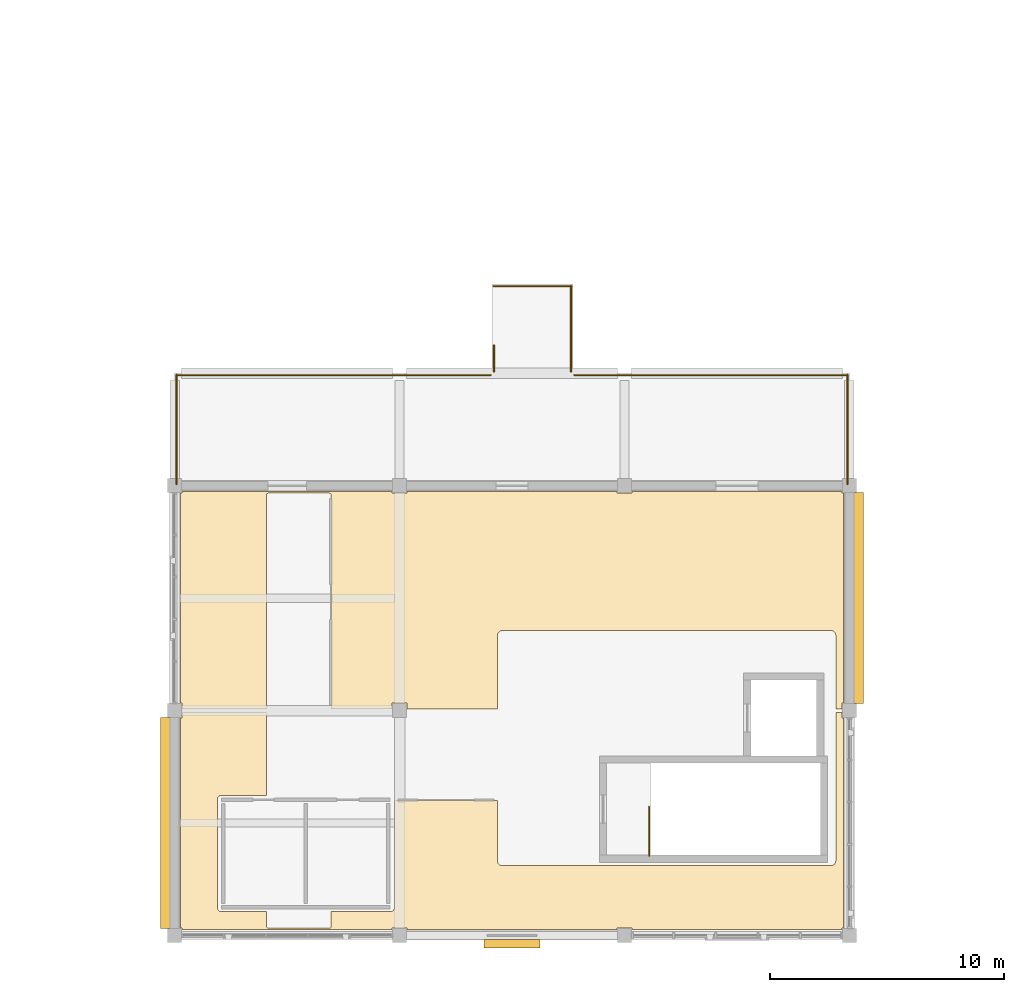
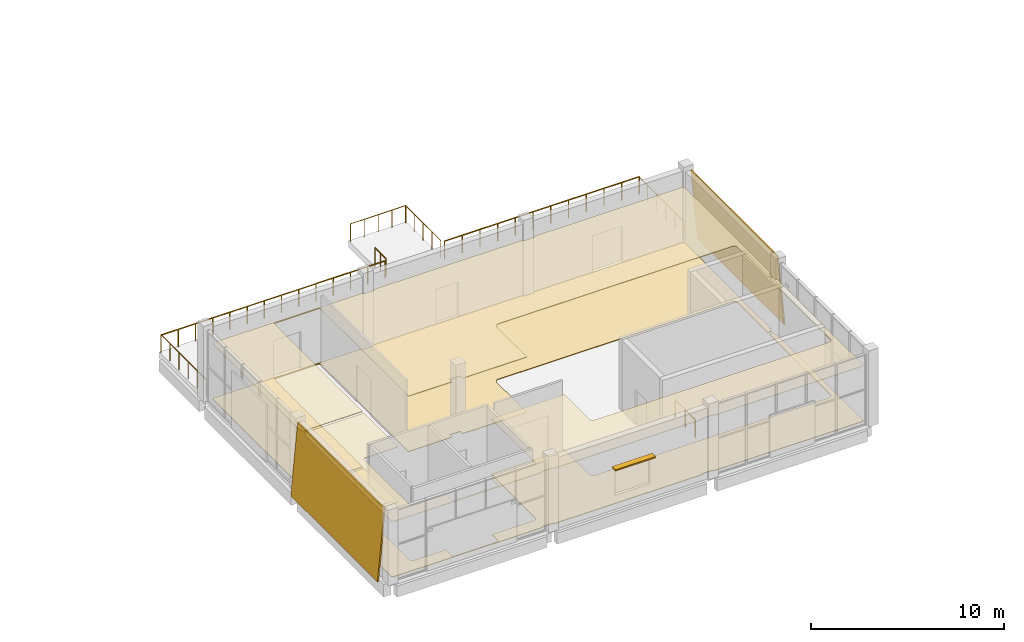
# One storey, part 32 of 37: 8 railings, 6 coverings, 1 shading device.
"""IFC4 building model written with IfcOpenShell, lengths in metres."""

from ifc_helpers import new_model, si_unit, direction, frame, origin, origin_2d, place, context, subcontext, project, spatial, polyline, rectangle, circle, outline, extrude, material, layer, layer_set, type_object, element, save


model = new_model("IFC4")

# Units and contexts
model_context = context("Model", 3, precision=1e-05, world=origin(), true_north=direction((0.0, 1.0)))
body_context = subcontext(model_context, "Body", "Model", "MODEL_VIEW")
ifc_project = project(units=[si_unit("LENGTHUNIT", "METRE"), si_unit("AREAUNIT", "SQUARE_METRE"), si_unit("VOLUMEUNIT", "CUBIC_METRE"), si_unit("PLANEANGLEUNIT", "RADIAN"), si_unit("MASSUNIT", "GRAM", prefix="KILO")], contexts=[model_context])

# Site, building, storey
site_placement = place(None, origin())
site = spatial("IfcSite", under=ifc_project, at=site_placement, CompositionType="ELEMENT")
building_placement = place(site_placement, origin())
building = spatial("IfcBuilding", under=site, at=building_placement, Name="Shalvenor Court Art Gallery", CompositionType="ELEMENT")
storey_placement = place(building_placement, frame((0.0, 0.0, 22.199951171875)))
storey = spatial("IfcBuildingStorey", under=building, at=storey_placement, Name="L04", CompositionType="ELEMENT", Elevation=22.199951171875)

# Coverings
ifc_material_1 = material(Name="Pale Mediterranean limestone cladding", Category="masonry")
ifc_layer_1 = layer(ifc_material_1, 0.080078125, Name="Pale Mediterranean limestone cladding")
ifc_layer_set_1 = layer_set([ifc_layer_1], Name="Pale Mediterranean limestone cladding")
covering_type_1 = type_object("IfcCoveringType", Name="CLD-01", PredefinedType="CLADDING", material=ifc_layer_set_1)
for number, where, z_axis, x_axis, name in (
    (1, (125.3994140625, 9.89990234375, 0.0), (0.0, 0.0, 1.0), (0.0, 1.0, 0.0), "L04 V3 Tapered Limestone Cladding 60"),
    (2, (95.400390625, 9.300048828125, 0.0), (0.0, 0.0, 1.0), (0.0, -1.0, 0.0), "L04 V3 Tapered Limestone Cladding 61"),
):
    element("IfcCovering", number, at=place(storey_placement, frame(where, z_axis=z_axis, x_axis=x_axis)), inside=storey, type_object=covering_type_1, Name=name, PredefinedType="CLADDING", context=body_context, shape_type="SweptSolid", body=[
        extrude(outline(polyline([(0.0, 0.0), (9.0, 0.0), (9.0, 4.5185546875), (0.0, 4.5185546875), (0.0, 0.0)])), frame((0.0, 0.0, 0.0), z_axis=(0.0, -0.995884398616, 0.090632580198), x_axis=(1.0, 0.0, 0.0)), (0.0, 0.090632580198, -0.995884398616), 0.080322265625),
    ])
ifc_material_2 = material(Name="Perforated acoustic gypsum gallery ceiling", Category="other")
ifc_layer_2 = layer(ifc_material_2, 0.044921875, Name="Perforated acoustic gypsum gallery ceiling")
ifc_layer_set_2 = layer_set([ifc_layer_2], Name="Perforated acoustic gypsum gallery ceiling")
covering_type_2 = type_object("IfcCoveringType", Name="CLG-01", PredefinedType="CEILING", material=ifc_layer_set_2)
covering_1_placement = place(storey_placement, frame((0.0, 0.0, 3.5)))
element("IfcCovering", 3, at=covering_1_placement, inside=storey, type_object=covering_type_2, Name="L04 Sculpture Exhibition Hall Acoustic Ceiling", PredefinedType="CEILING", context=body_context, shape_type="SweptSolid", body=[
    extrude(outline(polyline([(115.52001953125, 0.25), (115.52001953125, 0.320068359375), (114.8798828125, 0.320068359375), (114.8798828125, 0.25), (105.919921875, 0.25), (105.919921875, 0.320068359375), (105.280029296875, 0.320068359375), (105.280029296875, 0.25), (96.320068359375, 0.25), (96.320068359375, 0.320068359375), (96.25, 0.320068359375), (96.25, 9.280029296875), (96.320068359375, 9.280029296875), (96.320068359375, 9.52001953125), (99.919921875, 9.52001953125), (99.919921875, 5.97998046875), (98.0, 5.97998046875), (97.982421875, 5.97900390625), (97.96484375, 5.9765625), (97.94775390625, 5.97216796875), (97.93115234375, 5.96630859375), (97.9150390625, 5.958740234375), (97.89990234375, 5.94970703125), (97.8857421875, 5.939208984375), (97.872802734375, 5.92724609375), (97.86083984375, 5.914306640625), (97.850341796875, 5.89990234375), (97.84130859375, 5.885009765625), (97.833740234375, 5.868896484375), (97.827880859375, 5.852294921875), (97.823486328125, 5.835205078125), (97.82080078125, 5.817626953125), (97.820068359375, 5.800048828125), (97.820068359375, 1.199951171875), (97.82080078125, 1.182373046875), (97.823486328125, 1.164794921875), (97.827880859375, 1.147705078125), (97.833740234375, 1.131103515625), (97.84130859375, 1.114990234375), (97.850341796875, 1.10009765625), (97.86083984375, 1.085693359375), (97.872802734375, 1.07275390625), (97.8857421875, 1.060791015625), (97.89990234375, 1.05029296875), (97.9150390625, 1.041259765625), (97.93115234375, 1.03369140625), (97.94775390625, 1.02783203125), (97.96484375, 1.0234375), (97.982421875, 1.02099609375), (98.0, 1.02001953125), (99.919921875, 1.02001953125), (99.919921875, 0.39990234375), (99.92041015625, 0.39208984375), (99.92138671875, 0.384521484375), (99.92333984375, 0.376708984375), (99.926025390625, 0.369384765625), (99.929443359375, 0.3623046875), (99.93359375, 0.355712890625), (99.938232421875, 0.34912109375), (99.943359375, 0.343505859375), (99.94921875, 0.338134765625), (99.95556640625, 0.33349609375), (99.96240234375, 0.329345703125), (99.969482421875, 0.326171875), (99.976806640625, 0.323486328125), (99.984375, 0.321533203125), (99.9921875, 0.3203125), (100.0, 0.320068359375), (102.60009765625, 0.320068359375), (102.60791015625, 0.3203125), (102.615478515625, 0.321533203125), (102.623291015625, 0.323486328125), (102.630615234375, 0.326171875), (102.6376953125, 0.329345703125), (102.644287109375, 0.33349609375), (102.65087890625, 0.338134765625), (102.656494140625, 0.343505859375), (102.661865234375, 0.34912109375), (102.66650390625, 0.355712890625), (102.670654296875, 0.3623046875), (102.673828125, 0.369384765625), (102.676513671875, 0.376708984375), (102.678466796875, 0.384521484375), (102.6796875, 0.39208984375), (102.679931640625, 0.39990234375), (102.679931640625, 1.02001953125), (105.199951171875, 1.02001953125), (105.217529296875, 1.02099609375), (105.235107421875, 1.0234375), (105.252197265625, 1.02783203125), (105.268798828125, 1.03369140625), (105.284912109375, 1.041259765625), (105.300048828125, 1.05029296875), (105.314208984375, 1.060791015625), (105.327392578125, 1.07275390625), (105.339111328125, 1.085693359375), (105.349609375, 1.10009765625), (105.358642578125, 1.114990234375), (105.3662109375, 1.131103515625), (105.372314453125, 1.147705078125), (105.37646484375, 1.164794921875), (105.379150390625, 1.182373046875), (105.3798828125, 1.199951171875), (105.3798828125, 5.77001953125), (109.780029296875, 5.77001953125), (109.780029296875, 3.199951171875), (109.781005859375, 3.178466796875), (109.7841796875, 3.156982421875), (109.78955078125, 3.135986328125), (109.796630859375, 3.11572265625), (109.805908203125, 3.09619140625), (109.817138671875, 3.077880859375), (109.829833984375, 3.060302734375), (109.844482421875, 3.04443359375), (109.8603515625, 3.02978515625), (109.877685546875, 3.01708984375), (109.896240234375, 3.006103515625), (109.915771484375, 2.99658203125), (109.93603515625, 2.989501953125), (109.95703125, 2.984130859375), (109.978515625, 2.981201171875), (110.0, 2.97998046875), (124.0, 2.97998046875), (124.021484375, 2.981201171875), (124.04296875, 2.984130859375), (124.06396484375, 2.989501953125), (124.084228515625, 2.99658203125), (124.103759765625, 3.006103515625), (124.122314453125, 3.01708984375), (124.1396484375, 3.02978515625), (124.155517578125, 3.04443359375), (124.170166015625, 3.060302734375), (124.182861328125, 3.077880859375), (124.194091796875, 3.09619140625), (124.203369140625, 3.11572265625), (124.21044921875, 3.135986328125), (124.2158203125, 3.156982421875), (124.218994140625, 3.178466796875), (124.219970703125, 3.199951171875), (124.219970703125, 9.52001953125), (124.47998046875, 9.52001953125), (124.47998046875, 9.280029296875), (124.550048828125, 9.280029296875), (124.550048828125, 0.320068359375), (124.47998046875, 0.320068359375), (124.47998046875, 0.25), (115.52001953125, 0.25)])), origin(), (0.0, 0.0, 1.0), 0.045166015625),
])
covering_2_placement = place(storey_placement, frame((0.0, 0.0, 3.5)))
element("IfcCovering", 4, at=covering_2_placement, inside=storey, type_object=covering_type_2, Name="L04 Works On Paper Gallery Acoustic Ceiling", PredefinedType="CEILING", context=body_context, shape_type="SweptSolid", body=[
    extrude(outline(polyline([(124.550048828125, 9.919921875), (124.47998046875, 9.919921875), (124.47998046875, 9.679931640625), (124.219970703125, 9.679931640625), (124.219970703125, 12.800048828125), (124.218994140625, 12.821533203125), (124.2158203125, 12.843017578125), (124.21044921875, 12.864013671875), (124.203369140625, 12.88427734375), (124.194091796875, 12.90380859375), (124.182861328125, 12.922119140625), (124.170166015625, 12.939697265625), (124.155517578125, 12.95556640625), (124.1396484375, 12.97021484375), (124.122314453125, 12.98291015625), (124.103759765625, 12.993896484375), (124.084228515625, 13.00341796875), (124.06396484375, 13.010498046875), (124.04296875, 13.015869140625), (124.021484375, 13.018798828125), (124.0, 13.02001953125), (110.0, 13.02001953125), (109.978515625, 13.018798828125), (109.95703125, 13.015869140625), (109.93603515625, 13.010498046875), (109.915771484375, 13.00341796875), (109.896240234375, 12.993896484375), (109.877685546875, 12.98291015625), (109.8603515625, 12.97021484375), (109.844482421875, 12.95556640625), (109.829833984375, 12.939697265625), (109.817138671875, 12.922119140625), (109.805908203125, 12.90380859375), (109.796630859375, 12.88427734375), (109.78955078125, 12.864013671875), (109.7841796875, 12.843017578125), (109.781005859375, 12.821533203125), (109.780029296875, 12.800048828125), (109.780029296875, 9.679931640625), (105.919921875, 9.679931640625), (105.919921875, 9.919921875), (105.280029296875, 9.919921875), (105.280029296875, 9.679931640625), (102.679931640625, 9.679931640625), (102.679931640625, 18.800048828125), (102.6796875, 18.807861328125), (102.678466796875, 18.815673828125), (102.676513671875, 18.8232421875), (102.673828125, 18.83056640625), (102.670654296875, 18.837646484375), (102.66650390625, 18.844482421875), (102.661865234375, 18.850830078125), (102.656494140625, 18.856689453125), (102.65087890625, 18.86181640625), (102.644287109375, 18.866455078125), (102.6376953125, 18.87060546875), (102.630615234375, 18.873779296875), (102.623291015625, 18.876708984375), (102.615478515625, 18.87841796875), (102.60791015625, 18.879638671875), (102.60009765625, 18.8798828125), (100.0, 18.8798828125), (99.9921875, 18.879638671875), (99.984375, 18.87841796875), (99.976806640625, 18.876708984375), (99.969482421875, 18.873779296875), (99.96240234375, 18.87060546875), (99.95556640625, 18.866455078125), (99.94921875, 18.86181640625), (99.943359375, 18.856689453125), (99.938232421875, 18.850830078125), (99.93359375, 18.844482421875), (99.929443359375, 18.837646484375), (99.926025390625, 18.83056640625), (99.92333984375, 18.8232421875), (99.92138671875, 18.815673828125), (99.92041015625, 18.807861328125), (99.919921875, 18.800048828125), (99.919921875, 9.679931640625), (96.320068359375, 9.679931640625), (96.320068359375, 9.919921875), (96.25, 9.919921875), (96.25, 18.8798828125), (96.320068359375, 18.8798828125), (96.320068359375, 18.949951171875), (105.280029296875, 18.949951171875), (105.280029296875, 18.8798828125), (105.919921875, 18.8798828125), (105.919921875, 18.949951171875), (114.8798828125, 18.949951171875), (114.8798828125, 18.8798828125), (115.52001953125, 18.8798828125), (115.52001953125, 18.949951171875), (124.47998046875, 18.949951171875), (124.47998046875, 18.8798828125), (124.550048828125, 18.8798828125), (124.550048828125, 9.919921875)])), origin(), (0.0, 0.0, 1.0), 0.045166015625),
])
ifc_material_3 = material(Name="Quarter-sawn white oak gallery flooring", Category="wood")
ifc_layer_3 = layer(ifc_material_3, 0.031982421875, Name="Quarter-sawn white oak gallery flooring")
ifc_layer_set_3 = layer_set([ifc_layer_3], Name="Quarter-sawn white oak gallery flooring")
covering_type_3 = type_object("IfcCoveringType", Name="FLR-02", PredefinedType="FLOORING", material=ifc_layer_set_3)
covering_3_placement = place(storey_placement, origin())
element("IfcCovering", 5, at=covering_3_placement, inside=storey, type_object=covering_type_3, Name="L04 Sculpture Exhibition Hall Flooring", PredefinedType="FLOORING", context=body_context, shape_type="SweptSolid", body=[
    extrude(outline(polyline([(115.52001953125, 0.25), (115.52001953125, 0.320068359375), (114.8798828125, 0.320068359375), (114.8798828125, 0.25), (105.919921875, 0.25), (105.919921875, 0.320068359375), (105.280029296875, 0.320068359375), (105.280029296875, 0.25), (96.320068359375, 0.25), (96.320068359375, 0.320068359375), (96.25, 0.320068359375), (96.25, 9.280029296875), (96.320068359375, 9.280029296875), (96.320068359375, 9.52001953125), (99.919921875, 9.52001953125), (99.919921875, 5.97998046875), (98.0, 5.97998046875), (97.982421875, 5.97900390625), (97.96484375, 5.9765625), (97.94775390625, 5.97216796875), (97.93115234375, 5.96630859375), (97.9150390625, 5.958740234375), (97.89990234375, 5.94970703125), (97.8857421875, 5.939208984375), (97.872802734375, 5.92724609375), (97.86083984375, 5.914306640625), (97.850341796875, 5.89990234375), (97.84130859375, 5.885009765625), (97.833740234375, 5.868896484375), (97.827880859375, 5.852294921875), (97.823486328125, 5.835205078125), (97.82080078125, 5.817626953125), (97.820068359375, 5.800048828125), (97.820068359375, 1.199951171875), (97.82080078125, 1.182373046875), (97.823486328125, 1.164794921875), (97.827880859375, 1.147705078125), (97.833740234375, 1.131103515625), (97.84130859375, 1.114990234375), (97.850341796875, 1.10009765625), (97.86083984375, 1.085693359375), (97.872802734375, 1.07275390625), (97.8857421875, 1.060791015625), (97.89990234375, 1.05029296875), (97.9150390625, 1.041259765625), (97.93115234375, 1.03369140625), (97.94775390625, 1.02783203125), (97.96484375, 1.0234375), (97.982421875, 1.02099609375), (98.0, 1.02001953125), (99.919921875, 1.02001953125), (99.919921875, 0.39990234375), (99.92041015625, 0.39208984375), (99.92138671875, 0.384521484375), (99.92333984375, 0.376708984375), (99.926025390625, 0.369384765625), (99.929443359375, 0.3623046875), (99.93359375, 0.355712890625), (99.938232421875, 0.34912109375), (99.943359375, 0.343505859375), (99.94921875, 0.338134765625), (99.95556640625, 0.33349609375), (99.96240234375, 0.329345703125), (99.969482421875, 0.326171875), (99.976806640625, 0.323486328125), (99.984375, 0.321533203125), (99.9921875, 0.3203125), (100.0, 0.320068359375), (102.60009765625, 0.320068359375), (102.60791015625, 0.3203125), (102.615478515625, 0.321533203125), (102.623291015625, 0.323486328125), (102.630615234375, 0.326171875), (102.6376953125, 0.329345703125), (102.644287109375, 0.33349609375), (102.65087890625, 0.338134765625), (102.656494140625, 0.343505859375), (102.661865234375, 0.34912109375), (102.66650390625, 0.355712890625), (102.670654296875, 0.3623046875), (102.673828125, 0.369384765625), (102.676513671875, 0.376708984375), (102.678466796875, 0.384521484375), (102.6796875, 0.39208984375), (102.679931640625, 0.39990234375), (102.679931640625, 1.02001953125), (105.199951171875, 1.02001953125), (105.217529296875, 1.02099609375), (105.235107421875, 1.0234375), (105.252197265625, 1.02783203125), (105.268798828125, 1.03369140625), (105.284912109375, 1.041259765625), (105.300048828125, 1.05029296875), (105.314208984375, 1.060791015625), (105.327392578125, 1.07275390625), (105.339111328125, 1.085693359375), (105.349609375, 1.10009765625), (105.358642578125, 1.114990234375), (105.3662109375, 1.131103515625), (105.372314453125, 1.147705078125), (105.37646484375, 1.164794921875), (105.379150390625, 1.182373046875), (105.3798828125, 1.199951171875), (105.3798828125, 5.77001953125), (109.780029296875, 5.77001953125), (109.780029296875, 3.199951171875), (109.781005859375, 3.178466796875), (109.7841796875, 3.156982421875), (109.78955078125, 3.135986328125), (109.796630859375, 3.11572265625), (109.805908203125, 3.09619140625), (109.817138671875, 3.077880859375), (109.829833984375, 3.060302734375), (109.844482421875, 3.04443359375), (109.8603515625, 3.02978515625), (109.877685546875, 3.01708984375), (109.896240234375, 3.006103515625), (109.915771484375, 2.99658203125), (109.93603515625, 2.989501953125), (109.95703125, 2.984130859375), (109.978515625, 2.981201171875), (110.0, 2.97998046875), (124.0, 2.97998046875), (124.021484375, 2.981201171875), (124.04296875, 2.984130859375), (124.06396484375, 2.989501953125), (124.084228515625, 2.99658203125), (124.103759765625, 3.006103515625), (124.122314453125, 3.01708984375), (124.1396484375, 3.02978515625), (124.155517578125, 3.04443359375), (124.170166015625, 3.060302734375), (124.182861328125, 3.077880859375), (124.194091796875, 3.09619140625), (124.203369140625, 3.11572265625), (124.21044921875, 3.135986328125), (124.2158203125, 3.156982421875), (124.218994140625, 3.178466796875), (124.219970703125, 3.199951171875), (124.219970703125, 9.52001953125), (124.47998046875, 9.52001953125), (124.47998046875, 9.280029296875), (124.550048828125, 9.280029296875), (124.550048828125, 0.320068359375), (124.47998046875, 0.320068359375), (124.47998046875, 0.25), (115.52001953125, 0.25)])), origin(), (0.0, 0.0, 1.0), 0.031982421875),
])
covering_4_placement = place(storey_placement, origin())
element("IfcCovering", 6, at=covering_4_placement, inside=storey, type_object=covering_type_3, Name="L04 Works On Paper Gallery Flooring", PredefinedType="FLOORING", context=body_context, shape_type="SweptSolid", body=[
    extrude(outline(polyline([(124.550048828125, 9.919921875), (124.47998046875, 9.919921875), (124.47998046875, 9.679931640625), (124.219970703125, 9.679931640625), (124.219970703125, 12.800048828125), (124.218994140625, 12.821533203125), (124.2158203125, 12.843017578125), (124.21044921875, 12.864013671875), (124.203369140625, 12.88427734375), (124.194091796875, 12.90380859375), (124.182861328125, 12.922119140625), (124.170166015625, 12.939697265625), (124.155517578125, 12.95556640625), (124.1396484375, 12.97021484375), (124.122314453125, 12.98291015625), (124.103759765625, 12.993896484375), (124.084228515625, 13.00341796875), (124.06396484375, 13.010498046875), (124.04296875, 13.015869140625), (124.021484375, 13.018798828125), (124.0, 13.02001953125), (110.0, 13.02001953125), (109.978515625, 13.018798828125), (109.95703125, 13.015869140625), (109.93603515625, 13.010498046875), (109.915771484375, 13.00341796875), (109.896240234375, 12.993896484375), (109.877685546875, 12.98291015625), (109.8603515625, 12.97021484375), (109.844482421875, 12.95556640625), (109.829833984375, 12.939697265625), (109.817138671875, 12.922119140625), (109.805908203125, 12.90380859375), (109.796630859375, 12.88427734375), (109.78955078125, 12.864013671875), (109.7841796875, 12.843017578125), (109.781005859375, 12.821533203125), (109.780029296875, 12.800048828125), (109.780029296875, 9.679931640625), (105.919921875, 9.679931640625), (105.919921875, 9.919921875), (105.280029296875, 9.919921875), (105.280029296875, 9.679931640625), (102.679931640625, 9.679931640625), (102.679931640625, 18.800048828125), (102.6796875, 18.807861328125), (102.678466796875, 18.815673828125), (102.676513671875, 18.8232421875), (102.673828125, 18.83056640625), (102.670654296875, 18.837646484375), (102.66650390625, 18.844482421875), (102.661865234375, 18.850830078125), (102.656494140625, 18.856689453125), (102.65087890625, 18.86181640625), (102.644287109375, 18.866455078125), (102.6376953125, 18.87060546875), (102.630615234375, 18.873779296875), (102.623291015625, 18.876708984375), (102.615478515625, 18.87841796875), (102.60791015625, 18.879638671875), (102.60009765625, 18.8798828125), (100.0, 18.8798828125), (99.9921875, 18.879638671875), (99.984375, 18.87841796875), (99.976806640625, 18.876708984375), (99.969482421875, 18.873779296875), (99.96240234375, 18.87060546875), (99.95556640625, 18.866455078125), (99.94921875, 18.86181640625), (99.943359375, 18.856689453125), (99.938232421875, 18.850830078125), (99.93359375, 18.844482421875), (99.929443359375, 18.837646484375), (99.926025390625, 18.83056640625), (99.92333984375, 18.8232421875), (99.92138671875, 18.815673828125), (99.92041015625, 18.807861328125), (99.919921875, 18.800048828125), (99.919921875, 9.679931640625), (96.320068359375, 9.679931640625), (96.320068359375, 9.919921875), (96.25, 9.919921875), (96.25, 18.8798828125), (96.320068359375, 18.8798828125), (96.320068359375, 18.949951171875), (105.280029296875, 18.949951171875), (105.280029296875, 18.8798828125), (105.919921875, 18.8798828125), (105.919921875, 18.949951171875), (114.8798828125, 18.949951171875), (114.8798828125, 18.8798828125), (115.52001953125, 18.8798828125), (115.52001953125, 18.949951171875), (124.47998046875, 18.949951171875), (124.47998046875, 18.8798828125), (124.550048828125, 18.8798828125), (124.550048828125, 9.919921875)])), origin(), (0.0, 0.0, 1.0), 0.031982421875),
])

# Railings
ifc_material_4 = material(Name="Stainless steel and laminated glass balustrade", Category="steel")
railing_type_1 = type_object("IfcRailingType", Name="GR-01", PredefinedType="BALUSTRADE", material=ifc_material_4)
railing_1_placement = place(storey_placement, frame((124.719970703125, 23.93994140625, 0.0)))
element("IfcRailing", 7, at=railing_1_placement, inside=storey, type_object=railing_type_1, Name="L04 V3 Terrace Balustrade 39", PredefinedType="BALUSTRADE", context=body_context, shape_type="SweptSolid", body=[
    extrude(circle(Radius=0.02392578125, at=origin_2d()), frame((0.0, 0.0, 1.09619140625), z_axis=(0.0, -1.0, 0.0), x_axis=(1.0, 0.0, 0.0)), (0.0, 0.0, 1.0), 4.679931640625),
    extrude(circle(Radius=0.02099609375, at=origin_2d()), origin(), (0.0, 0.0, 1.0), 1.072021484375),
    extrude(circle(Radius=0.02099609375, at=origin_2d()), frame((0.0, -0.93603515625, 0.0)), (0.0, 0.0, 1.0), 1.072021484375),
    extrude(circle(Radius=0.02099609375, at=origin_2d()), frame((0.0, -1.8720703125, 0.0)), (0.0, 0.0, 1.0), 1.072021484375),
    extrude(circle(Radius=0.02099609375, at=origin_2d()), frame((0.0, -2.807861328125, 0.0)), (0.0, 0.0, 1.0), 1.072021484375),
    extrude(circle(Radius=0.02099609375, at=origin_2d()), frame((0.0, -3.743896484375, 0.0)), (0.0, 0.0, 1.0), 1.072021484375),
    extrude(circle(Radius=0.02099609375, at=origin_2d()), frame((0.0, -4.679931640625, 0.0)), (0.0, 0.0, 1.0), 1.072021484375),
])
railing_2_placement = place(storey_placement, frame((96.080078125, 19.260009765625, 0.0)))
element("IfcRailing", 8, at=railing_2_placement, inside=storey, type_object=railing_type_1, Name="L04 V3 Terrace Balustrade 40", PredefinedType="BALUSTRADE", context=body_context, shape_type="SweptSolid", body=[
    extrude(circle(Radius=0.02392578125, at=origin_2d()), frame((0.0, 0.0, 1.09619140625), z_axis=(0.0, 1.0, 0.0), x_axis=(-1.0, 0.0, 0.0)), (0.0, 0.0, 1.0), 4.679931640625),
    extrude(circle(Radius=0.02099609375, at=origin_2d()), origin(), (0.0, 0.0, 1.0), 1.072021484375),
    extrude(circle(Radius=0.02099609375, at=origin_2d()), frame((0.0, 0.93603515625, 0.0)), (0.0, 0.0, 1.0), 1.072021484375),
    extrude(circle(Radius=0.02099609375, at=origin_2d()), frame((0.0, 1.8720703125, 0.0)), (0.0, 0.0, 1.0), 1.072021484375),
    extrude(circle(Radius=0.02099609375, at=origin_2d()), frame((0.0, 2.807861328125, 0.0)), (0.0, 0.0, 1.0), 1.072021484375),
    extrude(circle(Radius=0.02099609375, at=origin_2d()), frame((0.0, 3.743896484375, 0.0)), (0.0, 0.0, 1.0), 1.072021484375),
    extrude(circle(Radius=0.02099609375, at=origin_2d()), frame((0.0, 4.679931640625, 0.0)), (0.0, 0.0, 1.0), 1.072021484375),
])
railing_3_placement = place(storey_placement, frame((96.06005859375, 23.919921875, 0.0)))
element("IfcRailing", 9, at=railing_3_placement, inside=storey, type_object=railing_type_1, Name="L04 V3 Terrace Balustrade 41", PredefinedType="BALUSTRADE", context=body_context, shape_type="SweptSolid", body=[
    extrude(circle(Radius=0.02392578125, at=origin_2d()), frame((0.0, 0.0, 1.09619140625), z_axis=(1.0, 0.0, 0.0), x_axis=(0.0, 1.0, 0.0)), (0.0, 0.0, 1.0), 13.429931640625),
    extrude(circle(Radius=0.02099609375, at=origin_2d()), origin(), (0.0, 0.0, 1.0), 1.072021484375),
    extrude(circle(Radius=0.02099609375, at=origin_2d()), frame((1.032958984375, 0.0, 0.0)), (0.0, 0.0, 1.0), 1.072021484375),
    extrude(circle(Radius=0.02099609375, at=origin_2d()), frame((2.066162109375, 0.0, 0.0)), (0.0, 0.0, 1.0), 1.072021484375),
    extrude(circle(Radius=0.02099609375, at=origin_2d()), frame((3.09912109375, 0.0, 0.0)), (0.0, 0.0, 1.0), 1.072021484375),
    extrude(circle(Radius=0.02099609375, at=origin_2d()), frame((4.13232421875, 0.0, 0.0)), (0.0, 0.0, 1.0), 1.072021484375),
    extrude(circle(Radius=0.02099609375, at=origin_2d()), frame((5.165283203125, 0.0, 0.0)), (0.0, 0.0, 1.0), 1.072021484375),
    extrude(circle(Radius=0.02099609375, at=origin_2d()), frame((6.198486328125, 0.0, 0.0)), (0.0, 0.0, 1.0), 1.072021484375),
    extrude(circle(Radius=0.02099609375, at=origin_2d()), frame((7.2314453125, 0.0, 0.0)), (0.0, 0.0, 1.0), 1.072021484375),
    extrude(circle(Radius=0.02099609375, at=origin_2d()), frame((8.2646484375, 0.0, 0.0)), (0.0, 0.0, 1.0), 1.072021484375),
    extrude(circle(Radius=0.02099609375, at=origin_2d()), frame((9.297607421875, 0.0, 0.0)), (0.0, 0.0, 1.0), 1.072021484375),
    extrude(circle(Radius=0.02099609375, at=origin_2d()), frame((10.330810546875, 0.0, 0.0)), (0.0, 0.0, 1.0), 1.072021484375),
    extrude(circle(Radius=0.02099609375, at=origin_2d()), frame((11.36376953125, 0.0, 0.0)), (0.0, 0.0, 1.0), 1.072021484375),
    extrude(circle(Radius=0.02099609375, at=origin_2d()), frame((12.39697265625, 0.0, 0.0)), (0.0, 0.0, 1.0), 1.072021484375),
    extrude(circle(Radius=0.02099609375, at=origin_2d()), frame((13.429931640625, 0.0, 0.0)), (0.0, 0.0, 1.0), 1.072021484375),
])
railing_4_placement = place(storey_placement, frame((109.6298828125, 24.06005859375, 0.0)))
element("IfcRailing", 10, at=railing_4_placement, inside=storey, type_object=railing_type_1, Name="L04 V3 Terrace Balustrade 42", PredefinedType="BALUSTRADE", context=body_context, shape_type="SweptSolid", body=[
    extrude(circle(Radius=0.02392578125, at=origin_2d()), frame((0.0, 0.0, 1.09619140625), z_axis=(0.0, 1.0, 0.0), x_axis=(-1.0, 0.0, 0.0)), (0.0, 0.0, 1.0), 1.139892578125),
    extrude(circle(Radius=0.02099609375, at=origin_2d()), origin(), (0.0, 0.0, 1.0), 1.072021484375),
    extrude(circle(Radius=0.02099609375, at=origin_2d()), frame((0.0, 0.56982421875, 0.0)), (0.0, 0.0, 1.0), 1.072021484375),
    extrude(circle(Radius=0.02099609375, at=origin_2d()), frame((0.0, 1.139892578125, 0.0)), (0.0, 0.0, 1.0), 1.072021484375),
])
railing_5_placement = place(storey_placement, frame((109.610107421875, 27.719970703125, 0.0)))
element("IfcRailing", 11, at=railing_5_placement, inside=storey, type_object=railing_type_1, Name="L04 V3 Terrace Balustrade 43", PredefinedType="BALUSTRADE", context=body_context, shape_type="SweptSolid", body=[
    extrude(circle(Radius=0.02392578125, at=origin_2d()), frame((0.0, 0.0, 1.09619140625), z_axis=(1.0, 0.0, 0.0), x_axis=(0.0, 1.0, 0.0)), (0.0, 0.0, 1.0), 3.329833984375),
    extrude(circle(Radius=0.02099609375, at=origin_2d()), origin(), (0.0, 0.0, 1.0), 1.072021484375),
    extrude(circle(Radius=0.02099609375, at=origin_2d()), frame((0.83251953125, 0.0, 0.0)), (0.0, 0.0, 1.0), 1.072021484375),
    extrude(circle(Radius=0.02099609375, at=origin_2d()), frame((1.6650390625, 0.0, 0.0)), (0.0, 0.0, 1.0), 1.072021484375),
    extrude(circle(Radius=0.02099609375, at=origin_2d()), frame((2.497314453125, 0.0, 0.0)), (0.0, 0.0, 1.0), 1.072021484375),
    extrude(circle(Radius=0.02099609375, at=origin_2d()), frame((3.329833984375, 0.0, 0.0)), (0.0, 0.0, 1.0), 1.072021484375),
])
railing_6_placement = place(storey_placement, frame((112.919921875, 27.739990234375, 0.0)))
element("IfcRailing", 12, at=railing_6_placement, inside=storey, type_object=railing_type_1, Name="L04 V3 Terrace Balustrade 44", PredefinedType="BALUSTRADE", context=body_context, shape_type="SweptSolid", body=[
    extrude(circle(Radius=0.02392578125, at=origin_2d()), frame((0.0, 0.0, 1.09619140625), z_axis=(0.0, -1.0, 0.0), x_axis=(1.0, 0.0, 0.0)), (0.0, 0.0, 1.0), 3.679931640625),
    extrude(circle(Radius=0.02099609375, at=origin_2d()), origin(), (0.0, 0.0, 1.0), 1.072021484375),
    extrude(circle(Radius=0.02099609375, at=origin_2d()), frame((0.0, -0.919921875, 0.0)), (0.0, 0.0, 1.0), 1.072021484375),
    extrude(circle(Radius=0.02099609375, at=origin_2d()), frame((0.0, -1.83984375, 0.0)), (0.0, 0.0, 1.0), 1.072021484375),
    extrude(circle(Radius=0.02099609375, at=origin_2d()), frame((0.0, -2.760009765625, 0.0)), (0.0, 0.0, 1.0), 1.072021484375),
    extrude(circle(Radius=0.02099609375, at=origin_2d()), frame((0.0, -3.679931640625, 0.0)), (0.0, 0.0, 1.0), 1.072021484375),
])
railing_7_placement = place(storey_placement, frame((113.06005859375, 23.919921875, 0.0)))
element("IfcRailing", 13, at=railing_7_placement, inside=storey, type_object=railing_type_1, Name="L04 V3 Terrace Balustrade 45", PredefinedType="BALUSTRADE", context=body_context, shape_type="SweptSolid", body=[
    extrude(circle(Radius=0.02392578125, at=origin_2d()), frame((0.0, 0.0, 1.09619140625), z_axis=(1.0, 0.0, 0.0), x_axis=(0.0, 1.0, 0.0)), (0.0, 0.0, 1.0), 11.679931640625),
    extrude(circle(Radius=0.02099609375, at=origin_2d()), origin(), (0.0, 0.0, 1.0), 1.072021484375),
    extrude(circle(Radius=0.02099609375, at=origin_2d()), frame((1.061767578125, 0.0, 0.0)), (0.0, 0.0, 1.0), 1.072021484375),
    extrude(circle(Radius=0.02099609375, at=origin_2d()), frame((2.12353515625, 0.0, 0.0)), (0.0, 0.0, 1.0), 1.072021484375),
    extrude(circle(Radius=0.02099609375, at=origin_2d()), frame((3.185546875, 0.0, 0.0)), (0.0, 0.0, 1.0), 1.072021484375),
    extrude(circle(Radius=0.02099609375, at=origin_2d()), frame((4.247314453125, 0.0, 0.0)), (0.0, 0.0, 1.0), 1.072021484375),
    extrude(circle(Radius=0.02099609375, at=origin_2d()), frame((5.30908203125, 0.0, 0.0)), (0.0, 0.0, 1.0), 1.072021484375),
    extrude(circle(Radius=0.02099609375, at=origin_2d()), frame((6.370849609375, 0.0, 0.0)), (0.0, 0.0, 1.0), 1.072021484375),
    extrude(circle(Radius=0.02099609375, at=origin_2d()), frame((7.4326171875, 0.0, 0.0)), (0.0, 0.0, 1.0), 1.072021484375),
    extrude(circle(Radius=0.02099609375, at=origin_2d()), frame((8.494384765625, 0.0, 0.0)), (0.0, 0.0, 1.0), 1.072021484375),
    extrude(circle(Radius=0.02099609375, at=origin_2d()), frame((9.556396484375, 0.0, 0.0)), (0.0, 0.0, 1.0), 1.072021484375),
    extrude(circle(Radius=0.02099609375, at=origin_2d()), frame((10.6181640625, 0.0, 0.0)), (0.0, 0.0, 1.0), 1.072021484375),
    extrude(circle(Radius=0.02099609375, at=origin_2d()), frame((11.679931640625, 0.0, 0.0)), (0.0, 0.0, 1.0), 1.072021484375),
])
ifc_material_5 = material(Name="Painted steel post-and-rail guard", Category="steel")
railing_type_2 = type_object("IfcRailingType", Name="GR-02", PredefinedType="GUARDRAIL", material=ifc_material_5)
railing_8_placement = place(storey_placement, frame((116.25, 3.39990234375, 0.0)))
element("IfcRailing", 14, at=railing_8_placement, inside=storey, type_object=railing_type_2, Name="L04 ST-04 Top Well Guard 1", PredefinedType="GUARDRAIL", context=body_context, shape_type="SweptSolid", body=[
    extrude(circle(Radius=0.02392578125, at=origin_2d()), frame((0.0, 0.0, 1.09619140625), z_axis=(0.0, 1.0, 0.0), x_axis=(-1.0, 0.0, 0.0)), (0.0, 0.0, 1.0), 2.10009765625),
    extrude(circle(Radius=0.02099609375, at=origin_2d()), origin(), (0.0, 0.0, 1.0), 1.072021484375),
    extrude(circle(Radius=0.02099609375, at=origin_2d()), frame((0.0, 1.050048828125, 0.0)), (0.0, 0.0, 1.0), 1.072021484375),
    extrude(circle(Radius=0.02099609375, at=origin_2d()), frame((0.0, 2.10009765625, 0.0)), (0.0, 0.0, 1.0), 1.072021484375),
])

# Shading device
ifc_material_6 = material(Name="Dark anodised bronze aluminium louvre", Category="aluminium")
shading_device_type = type_object("IfcShadingDeviceType", Name="SHD-01", PredefinedType="JALOUSIE", material=ifc_material_6)
shading_device_placement = place(storey_placement, frame((110.39990234375, -0.35009765625, 2.699951171875), z_axis=(0.0, 0.0, 1.0), x_axis=(-1.0, 0.0, 0.0)))
element("IfcShadingDevice", 15, at=shading_device_placement, inside=storey, type_object=shading_device_type, Name="L04 Koushi Window Sunshade 55", PredefinedType="JALOUSIE", context=body_context, shape_type="SweptSolid", body=[
    extrude(rectangle(XDim=2.39990234375, YDim=0.360107421875, at=origin_2d()), origin(), (0.0, 0.0, 1.0), 0.080078125),
])

save(model, "model.ifc")
